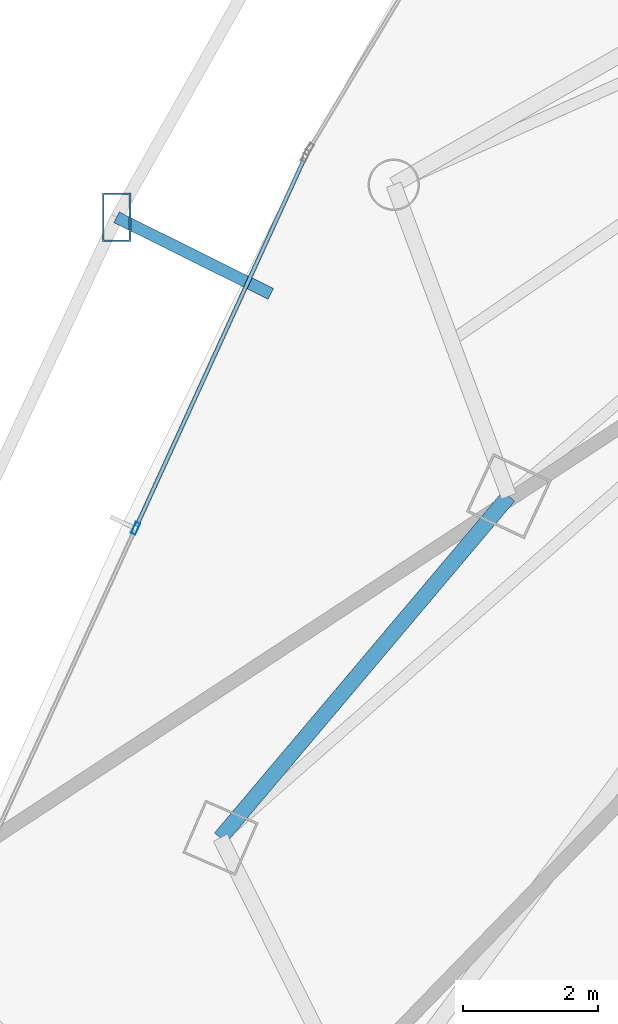
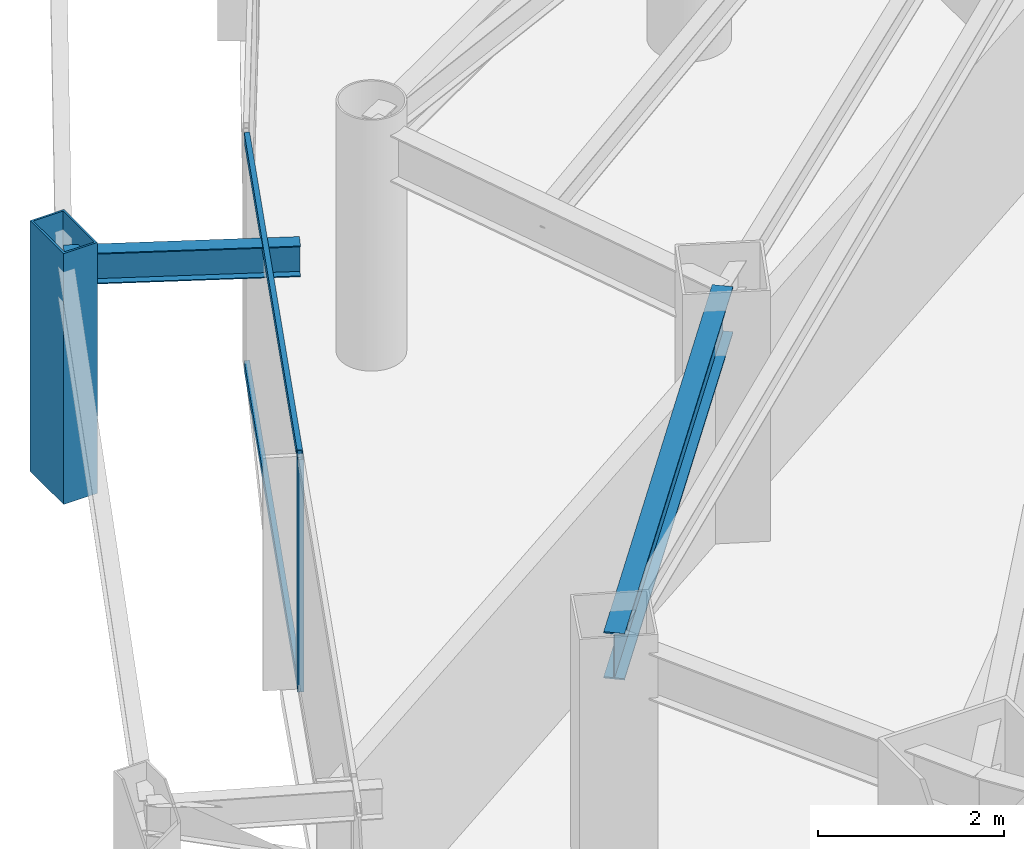
# One storey, part 8 of 33: 4 members, 2 beams, 1 element without a shape of its own.
"""IFC4 building model written with IfcOpenShell, lengths in metres."""

from ifc_helpers import new_model, si_unit, direction, frame, origin, origin_2d, place, context, subcontext, project, spatial, hollow_rectangle, i_section, extrude, material, layer, layer_set, material_profile, profile_set, type_object, element, aggregate, save


model = new_model("IFC4")

# Units and contexts
model_context = context("Model", 3, precision=1e-05, world=origin(), true_north=direction((0.0, 1.0)))
body_context = subcontext(model_context, "Body", "Model", "MODEL_VIEW")
ifc_project = project(units=[si_unit("LENGTHUNIT", "METRE"), si_unit("AREAUNIT", "SQUARE_METRE"), si_unit("VOLUMEUNIT", "CUBIC_METRE"), si_unit("PLANEANGLEUNIT", "RADIAN"), si_unit("MASSUNIT", "GRAM", prefix="KILO")], contexts=[model_context])

# Site, building, storey
site_placement = place(None, origin())
site = spatial("IfcSite", under=ifc_project, at=site_placement, CompositionType="ELEMENT")
building_placement = place(site_placement, origin())
building = spatial("IfcBuilding", under=site, at=building_placement, Name="Orvanel Arch Residences", CompositionType="ELEMENT")
storey_placement = place(building_placement, frame((0.0, 0.0, 84.050048828125)))
storey = spatial("IfcBuildingStorey", under=building, at=storey_placement, Name="L23", CompositionType="ELEMENT", Elevation=84.050048828125)

# Member
ifc_material_1 = material(Name="Structural steel AS/NZS 3678 Grade 350", Category="steel")
ifc_material_profile_1 = material_profile(ifc_material_1, hollow_rectangle(XDim=0.419921875, YDim=0.719970703125, WallThickness=0.02490234375, at=origin_2d()), Name="RHS720x420x25")
ifc_profile_set_1 = profile_set([ifc_material_profile_1], Name="Structural steel AS/NZS 3678 Grade 350")
member_type_1 = type_object("IfcMemberType", Name="CH-720RHS-EXT", PredefinedType="CHORD", material=ifc_profile_set_1)
member_1_placement = place(storey_placement, frame((10.556884765625, 23.77392578125, 0.0), z_axis=(0.0, 0.0, 1.0), x_axis=(1.0, 0.0, 0.0)))
element("IfcMember", 1, at=member_1_placement, inside=storey, type_object=member_type_1, Name="L23 Outer Perimeter Frame Post 03", PredefinedType="CHORD", context=body_context, shape_type="SweptSolid", body=[
    extrude(hollow_rectangle(XDim=0.419921875, YDim=0.719970703125, WallThickness=0.02490234375, at=origin_2d()), origin(), (0.0, 0.0, 1.0), 3.300048828125),
])

# Curtain wall, member
ifc_material_2 = material(Name="Bronze-anodised aluminium AA6063-T6", Category="aluminium")
ifc_layer = layer(ifc_material_2, 0.179931640625)
ifc_layer_set = layer_set([ifc_layer], Name="Bronze-anodised aluminium AA6063-T6")
curtain_wall_type = type_object("IfcCurtainWallType", Name="CW2-LOW-SYS", PredefinedType="NOTDEFINED", material=ifc_layer_set)
curtain_wall_placement = place(storey_placement, origin())
curtain_wall = element("IfcCurtainWall", 2, at=curtain_wall_placement, inside=storey, type_object=curtain_wall_type, Name="L23 CW2-LOW-SYS Unitised Curtain Wall", PredefinedType="NOTDEFINED")
ifc_material_profile_2 = material_profile(ifc_material_2, hollow_rectangle(XDim=0.070068359375, YDim=0.179931640625, WallThickness=0.00439453125, at=origin_2d()), Name="ALU180x70x4.5")
ifc_profile_set_2 = profile_set([ifc_material_profile_2], Name="Bronze-anodised aluminium AA6063-T6")
member_type_2 = type_object("IfcMemberType", Name="MUL-180x70", PredefinedType="MULLION", material=ifc_profile_set_2)
member_2_placement = place(storey_placement, frame((10.83740234375, 19.165771484375, 0.0), z_axis=(0.0, 0.0, 1.0), x_axis=(0.90969922077, -0.415267778343, 0.0)))
member_2 = element("IfcMember", 3, at=member_2_placement, type_object=member_type_2, Name="CW-S2 mullion 2", PredefinedType="MULLION", context=body_context, shape_type="SweptSolid", body=[
    extrude(hollow_rectangle(XDim=0.070068359375, YDim=0.179931640625, WallThickness=0.00439453125, at=origin_2d()), origin(), (0.0, 0.0, 1.0), 3.06005859375),
])

# Beams
ifc_material_3 = material(Name="Structural steel AS/NZS 3679.1 Grade 300 (300 MPa)", Category="steel")
ifc_material_profile_3 = material_profile(ifc_material_3, i_section(OverallWidth=0.177978515625, OverallDepth=0.406005859375, WebThickness=0.0078125, FlangeThickness=0.0126953125, at=origin_2d()), Name="410UB59.7")
ifc_profile_set_3 = profile_set([ifc_material_profile_3], Name="Structural steel AS/NZS 3679.1 Grade 300 (300 MPa)")
beam_type_1 = type_object("IfcBeamType", Name="OB-410UB-EXT", PredefinedType="SPANDREL", material=ifc_profile_set_3)
beam_1_placement = place(storey_placement, frame((12.840087890625, 22.638916015625, 2.85693359375), z_axis=(-0.895458905468, 0.445144188571, 0.0), x_axis=(-0.445144188571, -0.895458905468, 0.0)))
element("IfcBeam", 4, at=beam_1_placement, inside=storey, type_object=beam_type_1, Name="L23 Outer Frame Radial Tie Beam 03", PredefinedType="SPANDREL", context=body_context, shape_type="SweptSolid", body=[
    extrude(i_section(OverallWidth=0.177978515625, OverallDepth=0.406005859375, WebThickness=0.0078125, FlangeThickness=0.0126953125, at=origin_2d()), origin(), (0.0, 0.0, 1.0), 2.5498046875),
])
ifc_material_profile_4 = material_profile(ifc_material_3, i_section(OverallWidth=0.22900390625, OverallDepth=0.612060546875, WebThickness=0.011962890625, FlangeThickness=0.01953125, at=origin_2d()), Name="610UB125")
ifc_profile_set_4 = profile_set([ifc_material_profile_4], Name="Structural steel AS/NZS 3679.1 Grade 300 (300 MPa)")
beam_type_2 = type_object("IfcBeamType", Name="SP-610UB", PredefinedType="SPANDREL", material=ifc_profile_set_4)
beam_2_placement = place(storey_placement, frame((16.366943359375, 19.64208984375, 2.75390625), z_axis=(-0.644950329775, -0.764224490659, 0.0), x_axis=(0.764224490659, -0.644950329775, 0.0)))
element("IfcBeam", 5, at=beam_2_placement, inside=storey, type_object=beam_type_2, Name="L23 Perimeter Spandrel Beam 01", PredefinedType="SPANDREL", context=body_context, shape_type="SweptSolid", body=[
    extrude(i_section(OverallWidth=0.22900390625, OverallDepth=0.612060546875, WebThickness=0.011962890625, FlangeThickness=0.01953125, at=origin_2d()), origin(), (0.0, 0.0, 1.0), 6.623779296875),
])

# Member
ifc_material_profile_5 = material_profile(ifc_material_2, hollow_rectangle(XDim=0.06005859375, YDim=0.135009765625, WallThickness=0.00390625, at=origin_2d()), Name="ALU135x60x4")
ifc_profile_set_5 = profile_set([ifc_material_profile_5], Name="Bronze-anodised aluminium AA6063-T6")
member_type_3 = type_object("IfcMemberType", Name="TRN-135x60", PredefinedType="USERDEFINED", material=ifc_profile_set_5)
member_3_placement = place(storey_placement, frame((13.342041015625, 24.65234375, 0.030029296875), z_axis=(-0.415290152235, -0.909689007, 0.0), x_axis=(0.909689007, -0.415290152235, 0.0)))
member_3 = element("IfcMember", 6, at=member_3_placement, type_object=member_type_3, Name="CW-S2 transom 1.1", ObjectType="TRANSOM", PredefinedType="USERDEFINED", context=body_context, shape_type="SweptSolid", body=[
    extrude(hollow_rectangle(XDim=0.06005859375, YDim=0.135009765625, WallThickness=0.00390625, at=origin_2d()), origin(), (0.0, 0.0, 1.0), 5.996337890625),
])

member_4_placement = place(storey_placement, frame((13.342041015625, 24.65234375, 3.030029296875), z_axis=(-0.415290152235, -0.909689007, 0.0), x_axis=(0.909689007, -0.415290152235, 0.0)))
member_4 = element("IfcMember", 7, at=member_4_placement, type_object=member_type_3, Name="CW-S2 transom 1.2", ObjectType="TRANSOM", PredefinedType="USERDEFINED", context=body_context, shape_type="SweptSolid", body=[
    extrude(hollow_rectangle(XDim=0.06005859375, YDim=0.135009765625, WallThickness=0.00390625, at=origin_2d()), origin(), (0.0, 0.0, 1.0), 5.996337890625),
])

aggregate(curtain_wall, [member_2, member_3, member_4])

save(model, "model.ifc")
